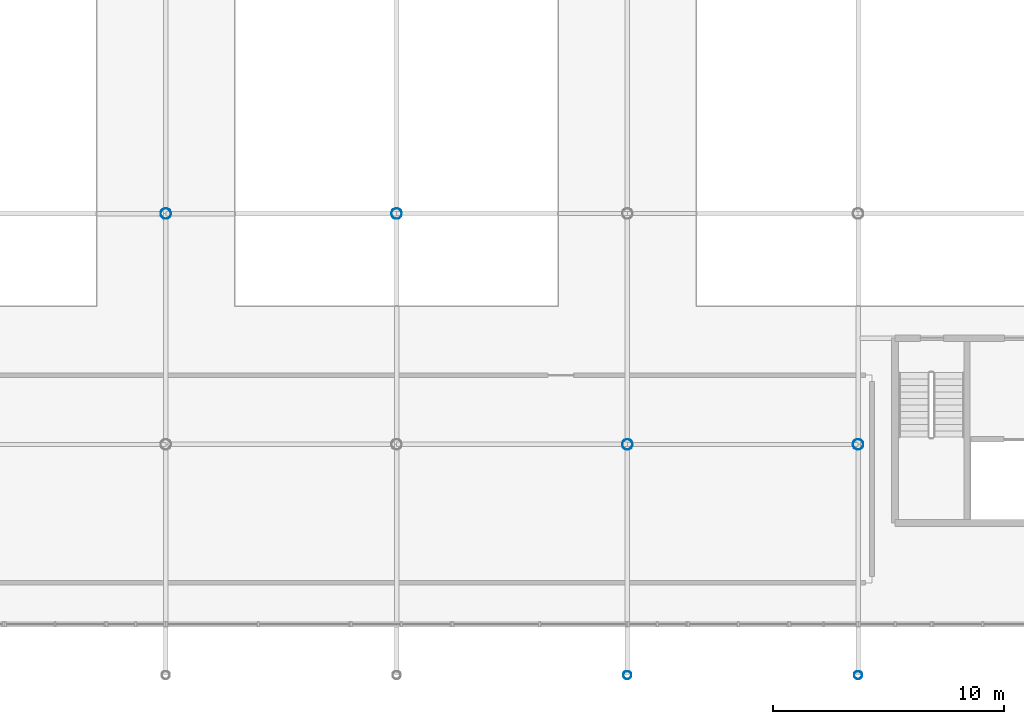
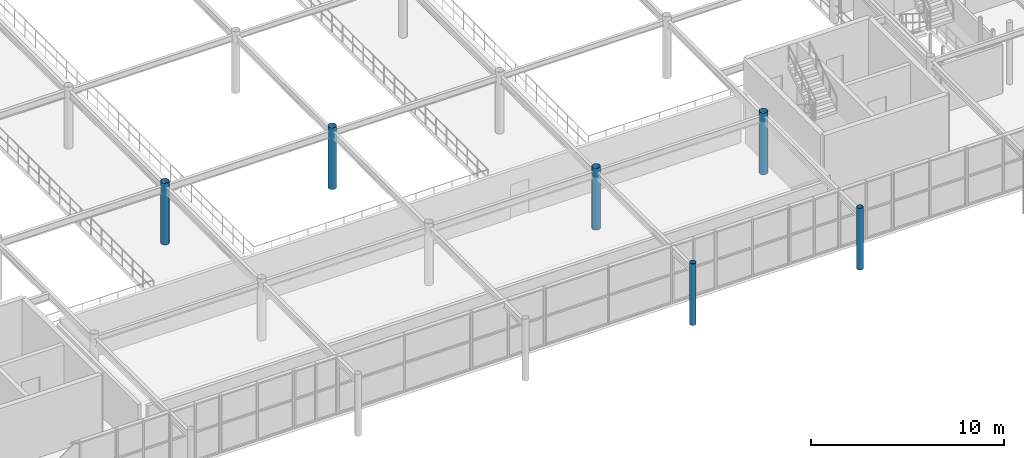
# One storey, part 10 of 98: 6 columns.
"""IFC4 building model written with IfcOpenShell, lengths in metres."""

from ifc_helpers import new_model, si_unit, derived_unit, direction, frame, origin, origin_2d_with_axis, place, context, subcontext, project, spatial, hollow_circle, extrude, material, material_profile, profile_set, type_object, element, save


model = new_model("IFC4")

# Units and contexts
model_context = context("Model", 3, precision=1e-05, world=origin(), true_north=direction((0.0, 1.0)))
body_context = subcontext(model_context, "Body", "Model", "MODEL_VIEW")
ifc_project = project(units=[si_unit("LENGTHUNIT", "METRE"), si_unit("AREAUNIT", "SQUARE_METRE"), si_unit("VOLUMEUNIT", "CUBIC_METRE"), si_unit("PLANEANGLEUNIT", "RADIAN"), si_unit("MASSUNIT", "GRAM", prefix="KILO"), derived_unit("THERMALTRANSMITTANCEUNIT", [(si_unit("POWERUNIT", "WATT"), 1), (si_unit("LENGTHUNIT", "METRE"), -2), (si_unit("THERMODYNAMICTEMPERATUREUNIT", "KELVIN"), -1)])], contexts=[model_context])

# Site, building, storey
site_placement = place(None, origin())
site = spatial("IfcSite", under=ifc_project, at=site_placement, CompositionType="ELEMENT")
building_placement = place(site_placement, origin())
building = spatial("IfcBuilding", under=site, at=building_placement, Name="Cinnabar Yard Market Hall", CompositionType="ELEMENT")
storey_placement = place(building_placement, frame((0.0, 0.0, 4.5)))
storey = spatial("IfcBuildingStorey", under=building, at=storey_placement, Name="L01", CompositionType="ELEMENT", Elevation=4.5)

# Columns
ifc_material = material(Name="Spotted-gum glulam-clad steel Grade 350 (350 MPa)", Category="steel")
ifc_material_profile_1 = material_profile(ifc_material, hollow_circle(Radius=0.228515625, WallThickness=0.0126953125, at=origin_2d_with_axis()), Name="457.0x12.7CHS")
ifc_profile_set_1 = profile_set([ifc_material_profile_1], Name="Spotted-gum glulam-clad steel Grade 350 (350 MPa)")
column_type_1 = type_object("IfcColumnType", Name="COL-C01", PredefinedType="COLUMN", material=ifc_profile_set_1)
for number, where, z_axis, x_axis, name in (
    (1, (106.0, 34.0, 0.0), (0.0, 0.0, 1.0), (1.0, 0.0, 0.0), "Tree Column V1I-04-02 L01"),
    (2, (116.0, 34.0, 0.0), (0.0, 0.0, 1.0), (1.0, 0.0, 0.0), "Tree Column V1I-05-02 L01"),
    (3, (126.0, 24.0, 0.0), (0.0, 0.0, 1.0), (1.0, 0.0, 0.0), "Tree Column V1I-06-01 L01"),
    (4, (136.0, 24.0, 0.0), (0.0, 0.0, 1.0), (1.0, 0.0, 0.0), "Tree Column V1I-07-01 L01"),
):
    element("IfcColumn", number, at=place(storey_placement, frame(where, z_axis=z_axis, x_axis=x_axis)), inside=storey, type_object=column_type_1, Name=name, PredefinedType="COLUMN", context=body_context, shape_type="SweptSolid", body=[
        extrude(hollow_circle(Radius=0.228515625, WallThickness=0.0126953125, at=origin_2d_with_axis()), origin(), (0.0, 0.0, 1.0), 3.89990234375),
    ])
ifc_material_profile_2 = material_profile(ifc_material, hollow_circle(Radius=0.177734375, WallThickness=0.0126953125, at=origin_2d_with_axis()), Name="355.6x12.7CHS")
ifc_profile_set_2 = profile_set([ifc_material_profile_2], Name="Spotted-gum glulam-clad steel Grade 350 (350 MPa)")
column_type_2 = type_object("IfcColumnType", Name="COL-C02E", PredefinedType="COLUMN", material=ifc_profile_set_2)
for number, where, z_axis, x_axis, name in (
    (5, (126.0, 14.0, 0.0), (0.0, 0.0, 1.0), (1.0, 0.0, 0.0), "Tree Column V1S-05 L01"),
    (6, (136.0, 14.0, 0.0), (0.0, 0.0, 1.0), (1.0, 0.0, 0.0), "Tree Column V1S-06 L01"),
):
    element("IfcColumn", number, at=place(storey_placement, frame(where, z_axis=z_axis, x_axis=x_axis)), inside=storey, type_object=column_type_2, Name=name, PredefinedType="COLUMN", context=body_context, shape_type="SweptSolid", body=[
        extrude(hollow_circle(Radius=0.177734375, WallThickness=0.0126953125, at=origin_2d_with_axis()), origin(), (0.0, 0.0, 1.0), 3.89990234375),
    ])

save(model, "model.ifc")
